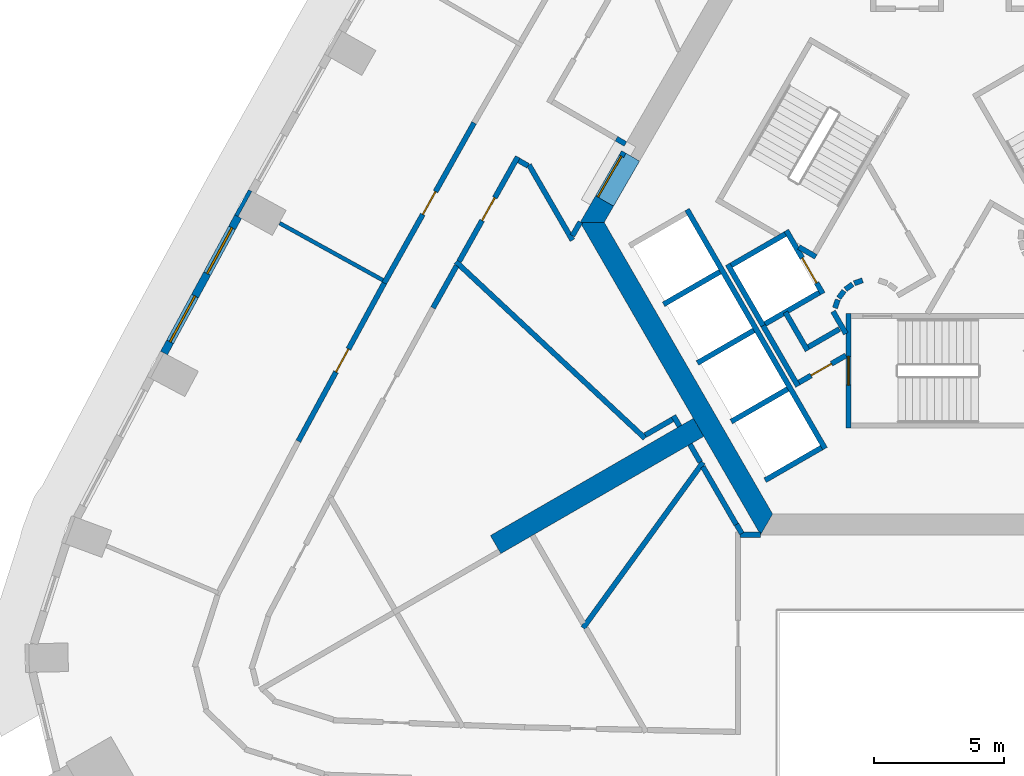
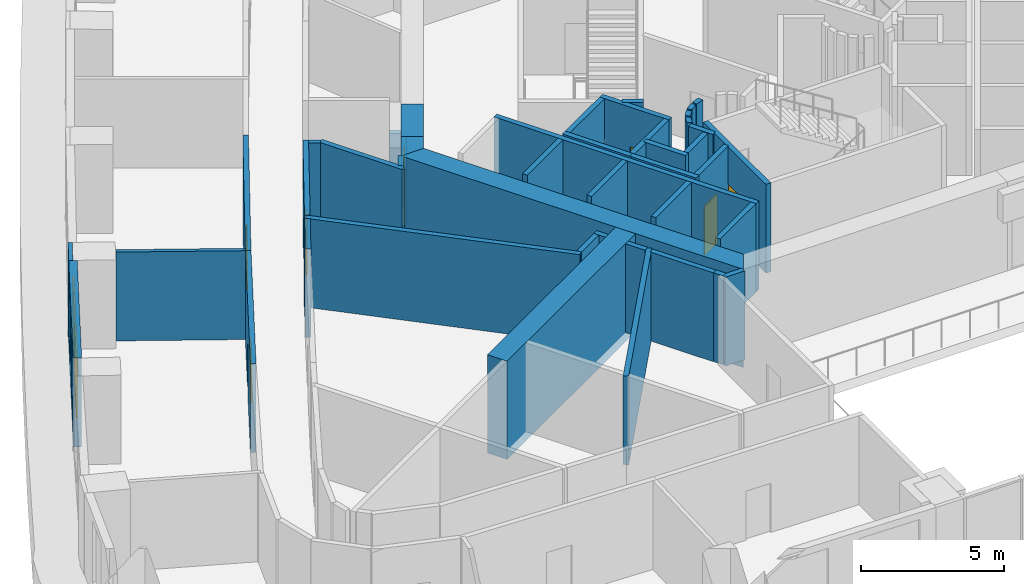
# One storey, part 5 of 17: 44 walls, 7 doors, 2 windows, 9 openings.
"""IFC4 building model written with IfcOpenShell, lengths in metres."""

from ifc_helpers import new_model, si_unit, direction, frame, frame_2d, origin, place, context, subcontext, project, spatial, polyline, rectangle, outline, extrude, material, layer, layer_set, type_object, element, fill, save


model = new_model("IFC4")

# Units and contexts
model_context = context("Model", 3, precision=1e-05, world=origin(), true_north=direction((0.0, 1.0)))
body_context = subcontext(model_context, "Body", "Model", "MODEL_VIEW")
ifc_project = project(units=[si_unit("LENGTHUNIT", "METRE"), si_unit("AREAUNIT", "SQUARE_METRE"), si_unit("VOLUMEUNIT", "CUBIC_METRE"), si_unit("PLANEANGLEUNIT", "RADIAN"), si_unit("MASSUNIT", "GRAM", prefix="KILO")], contexts=[model_context])

# Site, building, storey
site_placement = place(None, origin())
site = spatial("IfcSite", under=ifc_project, at=site_placement, CompositionType="ELEMENT")
building_placement = place(site_placement, origin())
building = spatial("IfcBuilding", under=site, at=building_placement, Name="Entoto Arch Interchange Tower", CompositionType="ELEMENT")
storey_placement = place(building_placement, frame((0.0, 0.0, 167.60009765625)))
storey = spatial("IfcBuildingStorey", under=building, at=storey_placement, Name="L37", CompositionType="ELEMENT", Elevation=167.60009765625)

# Wall
ifc_material_1 = material(Name="Concrete C50/60", Category="concrete")
ifc_layer_1 = layer(ifc_material_1, 0.800048828125)
ifc_layer_set_1 = layer_set([ifc_layer_1], Name="Concrete C50/60")
wall_type_1 = type_object("IfcWallType", Name="Buttress wall 800 C50/60", PredefinedType="SHEAR", material=ifc_layer_set_1)
wall_1_placement = place(storey_placement, frame((-9.31005859375, -5.375, -0.400146484375), z_axis=(0.0, 0.0, 1.0), x_axis=(-0.866017533419, -0.500013631625, 0.0)))
element("IfcWall", 1, at=wall_1_placement, inside=storey, type_object=wall_type_1, Name="Buttress wall SW L37", PredefinedType="SHEAR", context=body_context, shape_type="SweptSolid", body=[
    extrude(rectangle(XDim=8.999755859375, YDim=0.800048828125, at=frame_2d((4.5, 0.0))), origin(), (0.0, 0.0, 1.0), 4.199951171875),
])

# Wall, opening, door
ifc_material_2 = material(Name="Reinforced concrete C40/50", Category="concrete")
ifc_layer_2 = layer(ifc_material_2, 0.199951171875)
ifc_layer_set_2 = layer_set([ifc_layer_2], Name="Reinforced concrete C40/50")
wall_type_2 = type_object("IfcWallType", Name="CORE GAP INFILL WALL", PredefinedType="PARTITIONING", material=ifc_layer_set_2)
wall_2_placement = place(storey_placement, frame((-12.179931640625, 5.201904296875, 0.0), z_axis=(0.0, 0.0, 1.0), x_axis=(-0.50002537861, -0.866010750942, 0.0)))
wall_2 = element("IfcWall", 2, at=wall_2_placement, inside=storey, type_object=wall_type_2, Name="wall:L37:gap3", PredefinedType="PARTITIONING", context=body_context, shape_type="SweptSolid", body=[
    extrude(rectangle(XDim=2.0, YDim=0.199951171875, at=frame_2d((1.0, 0.0))), origin(), (0.0, 0.0, 1.0), 2.39990234375),
])
opening_1_placement = place(wall_2_placement, frame((0.18994140625, 0.0, 0.0)))
opening_1 = element("IfcOpeningElement", 3, at=opening_1_placement, cuts=wall_2, Name="Opening L37-D93", PredefinedType="OPENING", context=body_context, shape_type="SweptSolid", body=[
    extrude(rectangle(XDim=1.800048828125, YDim=2.10009765625, at=frame_2d((0.89990234375, 1.050048828125))), frame((0.0, 0.10986328125, 0.0), z_axis=(0.0, -1.0, 0.0), x_axis=(1.0, 0.0, 0.0)), (0.0, 0.0, 1.0), 0.219970703125),
])
ifc_material_3 = material(Name="Fire-rated Steel S235 door and frame", Category="steel")
door_type_1 = type_object("IfcDoorType", Name="DOOR FD-18 1800x2100", OperationType="DOUBLE_DOOR_SINGLE_SWING", PredefinedType="DOOR", material=ifc_material_3)
door_1_placement = place(opening_1_placement, origin())
door_1 = element("IfcDoor", 4, at=door_1_placement, inside=storey, type_object=door_type_1, Name="door:L37:gap3", OperationType="DOUBLE_DOOR_SINGLE_SWING", OverallHeight=2.10009765625, OverallWidth=1.800048828125, PredefinedType="DOOR", context=body_context, shape_type="SweptSolid", body=[
    extrude(rectangle(XDim=1.800048828125, YDim=2.10009765625, at=frame_2d((0.89990234375, 1.050048828125))), frame((0.0, 0.02490234375, 0.0), z_axis=(0.0, -1.0, 0.0), x_axis=(1.0, 0.0, 0.0)), (0.0, 0.0, 1.0), 0.050048828125),
])
fill(opening_1, door_1)

# Walls
ifc_layer_3 = layer(ifc_material_1, 0.800048828125)
ifc_layer_set_3 = layer_set([ifc_layer_3], Name="Concrete C50/60")
wall_type_3 = type_object("IfcWallType", Name="Core wall 800 C50/60", PredefinedType="SHEAR", material=ifc_layer_set_3)
wall_3_placement = place(storey_placement, frame((0.0, 0.0, -0.400146484375)))
element("IfcWall", 5, at=wall_3_placement, inside=storey, type_object=wall_type_3, Name="Core wall NW L37", PredefinedType="SHEAR", context=body_context, shape_type="SweptSolid", body=[
    extrude(outline(polyline([(-12.574951171875, 3.1201171875), (-13.26708984375, 3.52001953125), (-13.85595703125, 2.5), (-12.93310546875, 2.5), (-12.574951171875, 3.1201171875)])), origin(), (0.0, 0.0, 1.0), 4.199951171875),
])
wall_4_placement = place(storey_placement, frame((0.0, 0.0, 3.599853515625)))
element("IfcWall", 6, at=wall_4_placement, inside=storey, type_object=wall_type_3, Name="Core wall lintel NW L37", PredefinedType="SHEAR", context=body_context, shape_type="SweptSolid", body=[
    extrude(outline(polyline([(-13.26708984375, 3.52001953125), (-12.574951171875, 3.1201171875), (-11.574951171875, 4.85205078125), (-12.26708984375, 5.251953125), (-13.26708984375, 3.52001953125)])), origin(), (0.0, 0.0, 1.0), 0.199951171875),
])
wall_5_placement = place(storey_placement, frame((0.0, 0.0, -0.400146484375)))
element("IfcWall", 7, at=wall_5_placement, inside=storey, type_object=wall_type_3, Name="Core wall SW L37", PredefinedType="SHEAR", context=body_context, shape_type="SweptSolid", body=[
    extrude(outline(polyline([(-13.85595703125, 2.5), (-6.927978515625, -9.5), (-6.466064453125, -8.699951171875), (-12.93310546875, 2.5), (-13.85595703125, 2.5)])), origin(), (0.0, 0.0, 1.0), 4.199951171875),
])

# Wall, opening, door
ifc_material_4 = material(Name="Concrete C40/50", Category="concrete")
ifc_layer_4 = layer(ifc_material_4, 0.199951171875)
ifc_layer_set_4 = layer_set([ifc_layer_4], Name="Concrete C40/50")
wall_type_4 = type_object("IfcWallType", Name="LIFT SHAFT WALL 200", PredefinedType="STANDARD", material=ifc_layer_set_4)
wall_6_placement = place(storey_placement, frame((-5.93994140625, 2.18798828125, 0.0), z_axis=(0.0, 0.0, 1.0), x_axis=(0.49994636267, -0.866056369097, 0.0)))
wall_6 = element("IfcWall", 8, at=wall_6_placement, inside=storey, type_object=wall_type_4, Name="Shaft wall SW1 front", PredefinedType="STANDARD", context=body_context, shape_type="SweptSolid", body=[
    extrude(rectangle(XDim=2.800048828125, YDim=0.199951171875, at=frame_2d((1.39990234375, 0.0))), origin(), (0.0, 0.0, 1.0), 3.7998046875),
])
opening_2_placement = place(wall_6_placement, frame((1.22509765625, 0.0, 0.0)))
opening_2 = element("IfcOpeningElement", 9, at=opening_2_placement, cuts=wall_6, Name="Opening LD-FF2-L37", PredefinedType="OPENING", context=body_context, shape_type="SweptSolid", body=[
    extrude(rectangle(XDim=1.10009765625, YDim=2.10009765625, at=frame_2d((0.550048828125, 1.050048828125))), frame((0.0, 0.10986328125, 0.0), z_axis=(0.0, -1.0, 0.0), x_axis=(1.0, 0.0, 0.0)), (0.0, 0.0, 1.0), 0.219970703125),
])
ifc_material_5 = material(Name="Stainless steel 1.4301 panels", Category="steel")
door_type_2 = type_object("IfcDoorType", Name="LIFT LANDING DOOR LD1 1100x2100", OperationType="SLIDING_TO_LEFT", PredefinedType="DOOR", material=ifc_material_5)
door_2_placement = place(opening_2_placement, origin())
door_2 = element("IfcDoor", 10, at=door_2_placement, inside=storey, type_object=door_type_2, Name="Lift landing door FF2 L37", OperationType="SLIDING_TO_LEFT", OverallHeight=2.10009765625, OverallWidth=1.10009765625, PredefinedType="DOOR", context=body_context, shape_type="SweptSolid", body=[
    extrude(rectangle(XDim=1.10009765625, YDim=2.10009765625, at=frame_2d((0.550048828125, 1.050048828125))), frame((0.0, 0.02490234375, 0.0), z_axis=(0.0, -1.0, 0.0), x_axis=(1.0, 0.0, 0.0)), (0.0, 0.0, 1.0), 0.050048828125),
])
fill(opening_2, door_2)

# Walls
wall_7_placement = place(storey_placement, frame((-8.19189453125, 0.887939453125, 0.0), z_axis=(0.0, 0.0, 1.0), x_axis=(0.49994636267, -0.866056369097, 0.0)))
element("IfcWall", 11, at=wall_7_placement, inside=storey, type_object=wall_type_4, Name="Shaft wall SW1 back", PredefinedType="STANDARD", context=body_context, shape_type="SweptSolid", body=[
    extrude(rectangle(XDim=2.800048828125, YDim=0.199951171875, at=frame_2d((1.39990234375, 0.0))), origin(), (0.0, 0.0, 1.0), 3.7998046875),
])
for number, where, z_axis, x_axis, name in (
    (12, (-5.97705078125, 2.052001953125, 0.0), (0.0, 0.0, 1.0), (-0.865973769406, -0.500089422704, 0.0), "Shaft wall SW1 cross 1"),
    (13, (-4.677001953125, -0.199951171875, 0.0), (0.0, 0.0, 1.0), (-0.865973769406, -0.500089422704, 0.0), "Shaft wall SW1 cross 2"),
):
    element("IfcWall", number, at=place(storey_placement, frame(where, z_axis=z_axis, x_axis=x_axis)), inside=storey, type_object=wall_type_4, Name=name, PredefinedType="STANDARD", context=body_context, shape_type="SweptSolid", body=[
        extrude(rectangle(XDim=2.3994140625, YDim=0.199951171875, at=frame_2d((1.19970703125, 0.0))), origin(), (0.0, 0.0, 1.0), 3.7998046875),
    ])
wall_8_placement = place(storey_placement, frame((-9.7509765625, 2.989990234375, 0.0), z_axis=(0.0, 0.0, 1.0), x_axis=(0.50000090737, -0.866024879913, 0.0)))
element("IfcWall", 14, at=wall_8_placement, inside=storey, type_object=wall_type_4, Name="Shaft wall SW3 front", PredefinedType="STANDARD", context=body_context, shape_type="SweptSolid", body=[
    extrude(rectangle(XDim=10.60009765625, YDim=0.199951171875, at=frame_2d((5.300048828125, 0.0))), origin(), (0.0, 0.0, 1.0), 3.7998046875),
])
for number, where, z_axis, x_axis, name in (
    (15, (-8.488037109375, 0.60205078125, 0.0), (0.0, 0.0, 1.0), (-0.866022959057, -0.500004234368, 0.0), "Shaft wall SW3 cross 2"),
    (16, (-7.18798828125, -1.64990234375, 0.0), (0.0, 0.0, 1.0), (-0.866022959057, -0.500004234368, 0.0), "Shaft wall SW3 cross 3"),
    (17, (-5.887939453125, -3.902099609375, 0.0), (0.0, 0.0, 1.0), (-0.866022959057, -0.500004234368, 0.0), "Shaft wall SW3 cross 4"),
    (18, (-4.587890625, -6.153076171875, 0.0), (0.0, 0.0, 1.0), (-0.866022959057, -0.500004234368, 0.0), "Shaft wall SW3 cross 5"),
):
    element("IfcWall", number, at=place(storey_placement, frame(where, z_axis=z_axis, x_axis=x_axis)), inside=storey, type_object=wall_type_4, Name=name, PredefinedType="STANDARD", context=body_context, shape_type="SweptSolid", body=[
        extrude(rectangle(XDim=2.5, YDim=0.199951171875, at=frame_2d((1.25, 0.0))), origin(), (0.0, 0.0, 1.0), 3.7998046875),
    ])
ifc_material_6 = material(Name="Gypsum board partition on steel studs", Category="steel")
ifc_layer_5 = layer(ifc_material_6, 0.14990234375)
ifc_layer_set_5 = layer_set([ifc_layer_5], Name="Gypsum board partition on steel studs")
wall_type_5 = type_object("IfcWallType", Name="PARTITION 150", PredefinedType="PARTITIONING", material=ifc_layer_set_5)
wall_9_placement = place(storey_placement, frame((-21.431884765625, 0.278076171875, 0.0), z_axis=(0.0, 0.0, 1.0), x_axis=(-0.875412579047, 0.483376474857, 0.0)))
element("IfcWall", 19, at=wall_9_placement, inside=storey, type_object=wall_type_5, Name="wall:L37:p143", PredefinedType="PARTITIONING", context=body_context, shape_type="SweptSolid", body=[
    extrude(rectangle(XDim=4.530517578125, YDim=0.14990234375, at=frame_2d((2.26513671875, 0.0))), origin(), (0.0, 0.0, 1.0), 3.7998046875),
])
ifc_layer_6 = layer(ifc_material_6, 0.199951171875)
ifc_layer_set_6 = layer_set([ifc_layer_6], Name="Gypsum board partition on steel studs")
wall_type_6 = type_object("IfcWallType", Name="PARTITION 200", PredefinedType="PARTITIONING", material=ifc_layer_set_6)
wall_10_placement = place(storey_placement, frame((-13.85009765625, 2.513916015625, 0.0), z_axis=(0.0, 0.0, 1.0), x_axis=(-0.500418219013, -0.865783810244, 0.0)))
element("IfcWall", 20, at=wall_10_placement, inside=storey, type_object=wall_type_6, Name="wall:L37:p027", PredefinedType="PARTITIONING", context=body_context, shape_type="SweptSolid", body=[
    extrude(rectangle(XDim=0.607421875, YDim=0.199951171875, at=frame_2d((0.3037109375, 0.0))), origin(), (0.0, 0.0, 1.0), 3.7998046875),
])
wall_11_placement = place(storey_placement, frame((-14.154052734375, 1.81494140625, 0.0), z_axis=(0.0, 0.0, 1.0), x_axis=(-0.500038857296, 0.866002968352, 0.0)))
element("IfcWall", 21, at=wall_11_placement, inside=storey, type_object=wall_type_6, Name="wall:L37:p028", PredefinedType="PARTITIONING", context=body_context, shape_type="SweptSolid", body=[
    extrude(rectangle(XDim=3.339599609375, YDim=0.199951171875, at=frame_2d((1.669921875, 0.0))), origin(), (0.0, 0.0, 1.0), 3.7998046875),
])
wall_12_placement = place(storey_placement, frame((-15.860107421875, 4.6708984375, 0.0), z_axis=(0.0, 0.0, 1.0), x_axis=(-0.866047486323, 0.49996174997, 0.0)))
element("IfcWall", 22, at=wall_12_placement, inside=storey, type_object=wall_type_6, Name="wall:L37:p029", PredefinedType="PARTITIONING", context=body_context, shape_type="SweptSolid", body=[
    extrude(rectangle(XDim=0.412109375, YDim=0.199951171875, at=frame_2d((0.2060546875, 0.0))), origin(), (0.0, 0.0, 1.0), 3.7998046875),
])

# Wall, opening, door
wall_13_placement = place(storey_placement, frame((-16.2548828125, 5.013916015625, 0.0), z_axis=(0.0, 0.0, 1.0), x_axis=(-0.488988017817, -0.87229050117, 0.0)))
wall_13 = element("IfcWall", 23, at=wall_13_placement, inside=storey, type_object=wall_type_6, Name="wall:L37:p030", PredefinedType="PARTITIONING", context=body_context, shape_type="SweptSolid", body=[
    extrude(rectangle(XDim=4.599365234375, YDim=0.199951171875, at=frame_2d((2.2998046875, 0.0))), origin(), (0.0, 0.0, 1.0), 3.7998046875),
])
opening_3_placement = place(wall_13_placement, frame((1.800048828125, 0.0, 0.0)))
opening_3 = element("IfcOpeningElement", 24, at=opening_3_placement, cuts=wall_13, Name="Opening L37-D17", PredefinedType="OPENING", context=body_context, shape_type="SweptSolid", body=[
    extrude(rectangle(XDim=1.0, YDim=2.10009765625, at=frame_2d((0.5, 1.050048828125))), frame((0.0, 0.10986328125, 0.0), z_axis=(0.0, -1.0, 0.0), x_axis=(1.0, 0.0, 0.0)), (0.0, 0.0, 1.0), 0.219970703125),
])
ifc_material_7 = material(Name="Timber door leaf in Steel S235 frame", Category="steel")
door_type_3 = type_object("IfcDoorType", Name="DOOR DS-10 1000x2100", OperationType="SINGLE_SWING_LEFT", PredefinedType="DOOR", material=ifc_material_7)
door_3_placement = place(opening_3_placement, origin())
door_3 = element("IfcDoor", 25, at=door_3_placement, inside=storey, type_object=door_type_3, Name="door:L37:17", OperationType="SINGLE_SWING_LEFT", OverallHeight=2.10009765625, OverallWidth=1.0, PredefinedType="DOOR", context=body_context, shape_type="SweptSolid", body=[
    extrude(rectangle(XDim=1.0, YDim=2.10009765625, at=frame_2d((0.5, 1.050048828125))), frame((0.0, 0.02490234375, 0.0), z_axis=(0.0, -1.0, 0.0), x_axis=(1.0, 0.0, 0.0)), (0.0, 0.0, 1.0), 0.050048828125),
])
fill(opening_3, door_3)

# Wall
wall_14_placement = place(storey_placement, frame((-18.60205078125, 0.827880859375, 0.0), z_axis=(0.0, 0.0, 1.0), x_axis=(-0.488969229043, -0.872301033502, 0.0)))
element("IfcWall", 26, at=wall_14_placement, inside=storey, type_object=wall_type_6, Name="wall:L37:p032", PredefinedType="PARTITIONING", context=body_context, shape_type="SweptSolid", body=[
    extrude(rectangle(XDim=1.848876953125, YDim=0.199951171875, at=frame_2d((0.92431640625, 0.0))), origin(), (0.0, 0.0, 1.0), 3.7998046875),
])

# Wall, opening, door
wall_15_placement = place(storey_placement, frame((-21.381103515625, 0.1650390625, 0.0), z_axis=(0.0, 0.0, 1.0), x_axis=(0.489014139272, 0.872275857509, 0.0)))
wall_15 = element("IfcWall", 27, at=wall_15_placement, inside=storey, type_object=wall_type_6, Name="wall:L37:p068", PredefinedType="PARTITIONING", context=body_context, shape_type="SweptSolid", body=[
    extrude(rectangle(XDim=7.057373046875, YDim=0.199951171875, at=frame_2d((3.52880859375, 0.0))), origin(), (0.0, 0.0, 1.0), 3.7998046875),
])
opening_4_placement = place(wall_15_placement, frame((3.029052734375, 0.0, 0.0)))
opening_4 = element("IfcOpeningElement", 28, at=opening_4_placement, cuts=wall_15, Name="Opening L37-D10", PredefinedType="OPENING", context=body_context, shape_type="SweptSolid", body=[
    extrude(rectangle(XDim=1.0, YDim=2.10009765625, at=frame_2d((0.5, 1.050048828125))), frame((0.0, 0.10986328125, 0.0), z_axis=(0.0, -1.0, 0.0), x_axis=(1.0, 0.0, 0.0)), (0.0, 0.0, 1.0), 0.219970703125),
])
door_4_placement = place(opening_4_placement, origin())
door_4 = element("IfcDoor", 29, at=door_4_placement, inside=storey, type_object=door_type_3, Name="door:L37:10", OperationType="SINGLE_SWING_RIGHT", OverallHeight=2.10009765625, OverallWidth=1.0, PredefinedType="DOOR", context=body_context, shape_type="SweptSolid", body=[
    extrude(rectangle(XDim=1.0, YDim=2.10009765625, at=frame_2d((0.5, 1.050048828125))), frame((0.0, 0.02490234375, 0.0), z_axis=(0.0, -1.0, 0.0), x_axis=(1.0, 0.0, 0.0)), (0.0, 0.0, 1.0), 0.050048828125),
])
fill(opening_4, door_4)

wall_16_placement = place(storey_placement, frame((-24.679931640625, -5.906005859375, 0.0), z_axis=(0.0, 0.0, 1.0), x_axis=(0.47757676389, 0.878590026459, 0.0)))
wall_16 = element("IfcWall", 30, at=wall_16_placement, inside=storey, type_object=wall_type_6, Name="wall:L37:p071", PredefinedType="PARTITIONING", context=body_context, shape_type="SweptSolid", body=[
    extrude(rectangle(XDim=6.909912109375, YDim=0.199951171875, at=frame_2d((3.455078125, 0.0))), origin(), (0.0, 0.0, 1.0), 3.7998046875),
])
opening_5_placement = place(wall_16_placement, frame((3.029052734375, 0.0, 0.0)))
opening_5 = element("IfcOpeningElement", 31, at=opening_5_placement, cuts=wall_16, Name="Opening L37-D11", PredefinedType="OPENING", context=body_context, shape_type="SweptSolid", body=[
    extrude(rectangle(XDim=1.0, YDim=2.10009765625, at=frame_2d((0.5, 1.050048828125))), frame((0.0, 0.10986328125, 0.0), z_axis=(0.0, -1.0, 0.0), x_axis=(1.0, 0.0, 0.0)), (0.0, 0.0, 1.0), 0.219970703125),
])
door_5_placement = place(opening_5_placement, origin())
door_5 = element("IfcDoor", 32, at=door_5_placement, inside=storey, type_object=door_type_3, Name="door:L37:11", OperationType="SINGLE_SWING_LEFT", OverallHeight=2.10009765625, OverallWidth=1.0, PredefinedType="DOOR", context=body_context, shape_type="SweptSolid", body=[
    extrude(rectangle(XDim=1.0, YDim=2.10009765625, at=frame_2d((0.5, 1.050048828125))), frame((0.0, 0.02490234375, 0.0), z_axis=(0.0, -1.0, 0.0), x_axis=(1.0, 0.0, 0.0)), (0.0, 0.0, 1.0), 0.050048828125),
])
fill(opening_5, door_5)

# Walls
wall_17_placement = place(storey_placement, frame((-3.89990234375, -1.59912109375, 0.0), z_axis=(0.0, 0.0, 1.0), x_axis=(-0.865969445389, -0.500096910261, 0.0)))
element("IfcWall", 33, at=wall_17_placement, inside=storey, type_object=wall_type_6, Name="wall:L37:p092", PredefinedType="PARTITIONING", context=body_context, shape_type="SweptSolid", body=[
    extrude(rectangle(XDim=1.373291015625, YDim=0.199951171875, at=frame_2d((0.6865234375, 0.0))), origin(), (0.0, 0.0, 1.0), 3.7998046875),
])
wall_18_placement = place(storey_placement, frame((-5.1259765625, -2.422119140625, 0.0), z_axis=(0.0, 0.0, 1.0), x_axis=(-0.500062241894, 0.865989465428, 0.0)))
element("IfcWall", 34, at=wall_18_placement, inside=storey, type_object=wall_type_6, Name="wall:L37:p093", PredefinedType="PARTITIONING", context=body_context, shape_type="SweptSolid", body=[
    extrude(rectangle(XDim=1.699951171875, YDim=0.199951171875, at=frame_2d((0.85009765625, 0.0))), origin(), (0.0, 0.0, 1.0), 3.7998046875),
])

# Wall, opening, door
wall_19_placement = place(storey_placement, frame((-3.64990234375, -2.610107421875, 0.0), z_axis=(0.0, 0.0, 1.0), x_axis=(-0.866072462134, -0.499918483688, 0.0)))
wall_19 = element("IfcWall", 35, at=wall_19_placement, inside=storey, type_object=wall_type_6, Name="wall:L37:p094", PredefinedType="PARTITIONING", context=body_context, shape_type="SweptSolid", body=[
    extrude(rectangle(XDim=2.084228515625, YDim=0.199951171875, at=frame_2d((1.0419921875, 0.0))), origin(), (0.0, 0.0, 1.0), 3.7998046875),
])
opening_6_placement = place(wall_19_placement, frame((0.64208984375, 0.0, 0.0)))
opening_6 = element("IfcOpeningElement", 36, at=opening_6_placement, cuts=wall_19, Name="Opening L37-D30", PredefinedType="OPENING", context=body_context, shape_type="SweptSolid", body=[
    extrude(rectangle(XDim=0.89990234375, YDim=2.10009765625, at=frame_2d((0.449951171875, 1.050048828125))), frame((0.0, 0.10986328125, 0.0), z_axis=(0.0, -1.0, 0.0), x_axis=(1.0, 0.0, 0.0)), (0.0, 0.0, 1.0), 0.219970703125),
])
door_type_4 = type_object("IfcDoorType", Name="DOOR DS-09 900x2100", OperationType="SINGLE_SWING_LEFT", PredefinedType="DOOR", material=ifc_material_7)
door_6_placement = place(opening_6_placement, origin())
door_6 = element("IfcDoor", 37, at=door_6_placement, inside=storey, type_object=door_type_4, Name="door:L37:30", OperationType="SINGLE_SWING_LEFT", OverallHeight=2.10009765625, OverallWidth=0.89990234375, PredefinedType="DOOR", context=body_context, shape_type="SweptSolid", body=[
    extrude(rectangle(XDim=0.89990234375, YDim=2.10009765625, at=frame_2d((0.449951171875, 1.050048828125))), frame((0.0, 0.02490234375, 0.0), z_axis=(0.0, -1.0, 0.0), x_axis=(1.0, 0.0, 0.0)), (0.0, 0.0, 1.0), 0.050048828125),
])
fill(opening_6, door_6)

# Walls
wall_20_placement = place(storey_placement, frame((-5.491943359375, -3.7880859375, 0.0), z_axis=(0.0, 0.0, 1.0), x_axis=(-0.500008949224, 0.866020236886, 0.0)))
element("IfcWall", 38, at=wall_20_placement, inside=storey, type_object=wall_type_6, Name="wall:L37:p095", PredefinedType="PARTITIONING", context=body_context, shape_type="SweptSolid", body=[
    extrude(rectangle(XDim=2.68017578125, YDim=0.199951171875, at=frame_2d((1.340087890625, 0.0))), origin(), (0.0, 0.0, 1.0), 3.7998046875),
])
wall_21_placement = place(storey_placement, frame((-4.14501953125, -0.919921875, 0.0), z_axis=(0.0, 0.0, 1.0), x_axis=(0.499743786207, -0.866173278362, 0.0)))
element("IfcWall", 39, at=wall_21_placement, inside=storey, type_object=wall_type_6, Name="wall:L37:p096", PredefinedType="PARTITIONING", context=body_context, shape_type="SweptSolid", body=[
    extrude(rectangle(XDim=0.99072265625, YDim=0.199951171875, at=frame_2d((0.495361328125, 0.0))), origin(), (0.0, 0.0, 1.0), 3.7998046875),
])
wall_22_placement = place(storey_placement, frame((-3.011962890625, 0.27294921875, 0.0), z_axis=(0.0, 0.0, 1.0), x_axis=(-0.942280615813, -0.334824194261, 0.0)))
element("IfcWall", 40, at=wall_22_placement, inside=storey, type_object=wall_type_6, Name="wall:L37:p112", PredefinedType="PARTITIONING", context=body_context, shape_type="SweptSolid", body=[
    extrude(rectangle(XDim=0.337646484375, YDim=0.199951171875, at=frame_2d((0.1689453125, 0.0))), origin(), (0.0, 0.0, 1.0), 3.7998046875),
])
wall_23_placement = place(storey_placement, frame((-3.39697265625, 0.1240234375, 0.0), z_axis=(0.0, 0.0, 1.0), x_axis=(-0.804311165252, -0.594208338422, 0.0)))
element("IfcWall", 41, at=wall_23_placement, inside=storey, type_object=wall_type_6, Name="wall:L37:p113", PredefinedType="PARTITIONING", context=body_context, shape_type="SweptSolid", body=[
    extrude(rectangle(XDim=0.338134765625, YDim=0.199951171875, at=frame_2d((0.1689453125, 0.0))), origin(), (0.0, 0.0, 1.0), 3.7998046875),
])
wall_24_placement = place(storey_placement, frame((-3.722900390625, -0.131103515625, 0.0), z_axis=(0.0, 0.0, 1.0), x_axis=(-0.594675113454, -0.803966112121, 0.0)))
element("IfcWall", 42, at=wall_24_placement, inside=storey, type_object=wall_type_6, Name="wall:L37:p114", PredefinedType="PARTITIONING", context=body_context, shape_type="SweptSolid", body=[
    extrude(rectangle(XDim=0.33837890625, YDim=0.199951171875, at=frame_2d((0.169189453125, 0.0))), origin(), (0.0, 0.0, 1.0), 3.7998046875),
])
wall_25_placement = place(storey_placement, frame((-3.9599609375, -0.469970703125, 0.0), z_axis=(0.0, 0.0, 1.0), x_axis=(-0.334824194261, -0.942280615813, 0.0)))
element("IfcWall", 43, at=wall_25_placement, inside=storey, type_object=wall_type_6, Name="wall:L37:p115", PredefinedType="PARTITIONING", context=body_context, shape_type="SweptSolid", body=[
    extrude(rectangle(XDim=0.337646484375, YDim=0.199951171875, at=frame_2d((0.1689453125, 0.0))), origin(), (0.0, 0.0, 1.0), 3.7998046875),
])
wall_26_placement = place(storey_placement, frame((-7.721923828125, -9.4990234375, 0.0), z_axis=(0.0, 0.0, 1.0), x_axis=(1.0, 0.0, 0.0)))
element("IfcWall", 44, at=wall_26_placement, inside=storey, type_object=wall_type_6, Name="wall:L37:p117", PredefinedType="PARTITIONING", context=body_context, shape_type="SweptSolid", body=[
    extrude(rectangle(XDim=0.79296875, YDim=0.199951171875, at=frame_2d((0.396484375, 0.0))), origin(), (0.0, 0.0, 1.0), 3.7998046875),
])
wall_27_placement = place(storey_placement, frame((-7.862060546875, -9.10693359375, 0.0), z_axis=(0.0, 0.0, 1.0), x_axis=(-0.499994038704, 0.866028845513, 0.0)))
element("IfcWall", 45, at=wall_27_placement, inside=storey, type_object=wall_type_6, Name="wall:L37:p122", PredefinedType="PARTITIONING", context=body_context, shape_type="SweptSolid", body=[
    extrude(rectangle(XDim=2.56787109375, YDim=0.199951171875, at=frame_2d((1.283935546875, 0.0))), origin(), (0.0, 0.0, 1.0), 3.7998046875),
])
wall_28_placement = place(storey_placement, frame((-7.64990234375, -9.450927734375, 0.0), z_axis=(0.0, 0.0, 1.0), x_axis=(-0.500297731093, 0.865853440406, 0.0)))
element("IfcWall", 46, at=wall_28_placement, inside=storey, type_object=wall_type_6, Name="wall:L37:p123", PredefinedType="PARTITIONING", context=body_context, shape_type="SweptSolid", body=[
    extrude(rectangle(XDim=0.404052734375, YDim=0.199951171875, at=frame_2d((0.2021484375, 0.0))), origin(), (0.0, 0.0, 1.0), 3.7998046875),
])
wall_29_placement = place(storey_placement, frame((-9.24609375, -6.7099609375, 0.0), z_axis=(0.0, 0.0, 1.0), x_axis=(-0.499570510076, 0.86627322795, 0.0)))
element("IfcWall", 47, at=wall_29_placement, inside=storey, type_object=wall_type_6, Name="wall:L37:p124", PredefinedType="PARTITIONING", context=body_context, shape_type="SweptSolid", body=[
    extrude(rectangle(XDim=0.788330078125, YDim=0.199951171875, at=frame_2d((0.39404296875, 0.0))), origin(), (0.0, 0.0, 1.0), 3.7998046875),
])
wall_30_placement = place(storey_placement, frame((-10.31005859375, -5.06591796875, 0.0), z_axis=(0.0, 0.0, 1.0), x_axis=(-0.865587329375, -0.500758000661, 0.0)))
element("IfcWall", 48, at=wall_30_placement, inside=storey, type_object=wall_type_6, Name="wall:L37:p125", PredefinedType="PARTITIONING", context=body_context, shape_type="SweptSolid", body=[
    extrude(rectangle(XDim=1.21044921875, YDim=0.199951171875, at=frame_2d((0.605224609375, 0.0))), origin(), (0.0, 0.0, 1.0), 3.7998046875),
])
wall_31_placement = place(storey_placement, frame((-11.3720703125, -5.7900390625, 0.0), z_axis=(0.0, 0.0, 1.0), x_axis=(-0.730922728623, 0.682460229451, 0.0)))
element("IfcWall", 49, at=wall_31_placement, inside=storey, type_object=wall_type_6, Name="wall:L37:p126", PredefinedType="PARTITIONING", context=body_context, shape_type="SweptSolid", body=[
    extrude(rectangle(XDim=9.92431640625, YDim=0.199951171875, at=frame_2d((4.962158203125, 0.0))), origin(), (0.0, 0.0, 1.0), 3.7998046875),
])
wall_32_placement = place(storey_placement, frame((-13.743896484375, -13.075927734375, 0.0), z_axis=(0.0, 0.0, 1.0), x_axis=(0.586577314901, 0.809893235953, 0.0)))
element("IfcWall", 50, at=wall_32_placement, inside=storey, type_object=wall_type_6, Name="wall:L37:p127", PredefinedType="PARTITIONING", context=body_context, shape_type="SweptSolid", body=[
    extrude(rectangle(XDim=7.85400390625, YDim=0.199951171875, at=frame_2d((3.927001953125, 0.0))), origin(), (0.0, 0.0, 1.0), 3.7998046875),
])
wall_33_placement = place(storey_placement, frame((-10.0400390625, -5.333984375, 0.0), z_axis=(0.0, 0.0, 1.0), x_axis=(-0.499405191234, 0.86636854454, 0.0)))
element("IfcWall", 51, at=wall_33_placement, inside=storey, type_object=wall_type_6, Name="wall:L37:p124", PredefinedType="PARTITIONING", context=body_context, shape_type="SweptSolid", body=[
    extrude(rectangle(XDim=0.46630859375, YDim=0.199951171875, at=frame_2d((0.233154296875, 0.0))), origin(), (0.0, 0.0, 1.0), 3.7998046875),
])
wall_34_placement = place(storey_placement, frame((-12.462890625, 5.7119140625, 0.0), z_axis=(0.0, 0.0, 1.0), x_axis=(0.865788603161, -0.500409926597, 0.0)))
element("IfcWall", 52, at=wall_34_placement, inside=storey, type_object=wall_type_6, Name="wall:L37:p004", PredefinedType="PARTITIONING", context=body_context, shape_type="SweptSolid", body=[
    extrude(rectangle(XDim=0.399658203125, YDim=0.199951171875, at=frame_2d((0.19970703125, 0.0))), origin(), (0.0, 0.0, 1.0), 2.39990234375),
])

# Wall, opening, door
ifc_layer_7 = layer(ifc_material_4, 0.199951171875)
ifc_layer_set_7 = layer_set([ifc_layer_7], Name="Concrete C40/50")
wall_type_7 = type_object("IfcWallType", Name="STAIR ENCLOSURE WALL 200", PredefinedType="STANDARD", material=ifc_layer_set_7)
wall_35_placement = place(storey_placement, frame((-3.550048828125, -1.0, 0.0), z_axis=(0.0, 0.0, 1.0), x_axis=(0.0, -1.0, 0.0)))
wall_35 = element("IfcWall", 53, at=wall_35_placement, inside=storey, type_object=wall_type_7, Name="Stair wall ST-S near", PredefinedType="STANDARD", context=body_context, shape_type="SweptSolid", body=[
    extrude(rectangle(XDim=4.39990234375, YDim=0.199951171875, at=frame_2d((2.199951171875, 0.0))), origin(), (0.0, 0.0, 1.0), 3.7998046875),
])
opening_7_placement = place(wall_35_placement, frame((1.64990234375, 0.0, 0.0)))
opening_7 = element("IfcOpeningElement", 54, at=opening_7_placement, cuts=wall_35, Name="Opening SD-ST-S-L37-E", PredefinedType="OPENING", context=body_context, shape_type="SweptSolid", body=[
    extrude(rectangle(XDim=1.10009765625, YDim=2.199951171875, at=frame_2d((0.550048828125, 1.10009765625))), frame((0.0, 0.10986328125, 0.0), z_axis=(0.0, -1.0, 0.0), x_axis=(1.0, 0.0, 0.0)), (0.0, 0.0, 1.0), 0.219970703125),
])
ifc_material_8 = material(Name="Steel S235", Category="steel")
door_type_5 = type_object("IfcDoorType", Name="STAIR DOOR SD1 1100x2200", OperationType="SINGLE_SWING_LEFT", PredefinedType="DOOR", material=ifc_material_8)
door_7_placement = place(opening_7_placement, origin())
door_7 = element("IfcDoor", 55, at=door_7_placement, inside=storey, type_object=door_type_5, Name="Stair door ST-S L37 end", OperationType="SINGLE_SWING_LEFT", OverallHeight=2.199951171875, OverallWidth=1.10009765625, PredefinedType="DOOR", context=body_context, shape_type="SweptSolid", body=[
    extrude(rectangle(XDim=1.10009765625, YDim=2.199951171875, at=frame_2d((0.550048828125, 1.10009765625))), frame((0.0, 0.02490234375, 0.0), z_axis=(0.0, -1.0, 0.0), x_axis=(1.0, 0.0, 0.0)), (0.0, 0.0, 1.0), 0.050048828125),
])
fill(opening_7, door_7)

# Wall
wall_36_placement = place(storey_placement, frame((-4.805908203125, 1.176025390625, 0.0), z_axis=(0.0, 0.0, 1.0), x_axis=(-0.866558586415, 0.499075361355, 0.0)))
element("IfcWall", 56, at=wall_36_placement, inside=storey, type_object=wall_type_7, Name="Stair wall ST-NW far return", PredefinedType="STANDARD", context=body_context, shape_type="SweptSolid", body=[
    extrude(rectangle(XDim=0.75146484375, YDim=0.199951171875, at=frame_2d((0.375732421875, 0.0))), origin(), (0.0, 0.0, 1.0), 3.7998046875),
])

# Wall, openings, windows
ifc_material_9 = material(Name="Welded tuff (ignimbrite) cladding, warm buff", Category="masonry")
ifc_layer_8 = layer(ifc_material_9, 0.300048828125)
ifc_layer_set_8 = layer_set([ifc_layer_8], Name="Welded tuff (ignimbrite) cladding, warm buff")
wall_type_8 = type_object("IfcWallType", Name="STONE INFILL WALL 300", PredefinedType="STANDARD", material=ifc_layer_set_8)
wall_37_placement = place(storey_placement, frame((-26.990966796875, 2.719970703125, 0.0), z_axis=(0.0, 0.0, 1.0), x_axis=(-0.477555226268, -0.878601733361, 0.0)))
wall_37 = element("IfcWall", 57, at=wall_37_placement, inside=storey, type_object=wall_type_8, Name="Facade wall NW-06 L37", PredefinedType="STANDARD", context=body_context, shape_type="SweptSolid", body=[
    extrude(rectangle(XDim=5.964111328125, YDim=0.300048828125, at=frame_2d((2.98193359375, 0.0))), origin(), (0.0, 0.0, 1.0), 3.7998046875),
])
opening_8_placement = place(wall_37_placement, frame((0.490966796875, 0.0, 0.89990234375)))
opening_8 = element("IfcOpeningElement", 58, at=opening_8_placement, cuts=wall_37, Name="Opening WO-C", PredefinedType="OPENING", context=body_context, shape_type="SweptSolid", body=[
    extrude(rectangle(XDim=2.0, YDim=2.60009765625, at=frame_2d((1.0, 1.300048828125))), frame((0.0, 0.16015625, 0.0), z_axis=(0.0, -1.0, 0.0), x_axis=(1.0, 0.0, 0.0)), (0.0, 0.0, 1.0), 0.320068359375),
])
opening_9_placement = place(wall_37_placement, frame((3.472900390625, 0.0, 0.89990234375)))
opening_9 = element("IfcOpeningElement", 59, at=opening_9_placement, cuts=wall_37, Name="Opening WO-C", PredefinedType="OPENING", context=body_context, shape_type="SweptSolid", body=[
    extrude(rectangle(XDim=2.0, YDim=2.60009765625, at=frame_2d((1.0, 1.300048828125))), frame((0.0, 0.16015625, 0.0), z_axis=(0.0, -1.0, 0.0), x_axis=(1.0, 0.0, 0.0)), (0.0, 0.0, 1.0), 0.320068359375),
])
ifc_material_10 = material(Name="Clear glass, low-e double glazed", Category="glass")
window_type = type_object("IfcWindowType", Name="WINDOW WO-C 2000x2600", PartitioningType="DOUBLE_PANEL_VERTICAL", PredefinedType="WINDOW", material=ifc_material_10)
window_1_placement = place(opening_8_placement, origin())
window_1 = element("IfcWindow", 60, at=window_1_placement, inside=storey, type_object=window_type, Name="Window WO-C NW-06 L37", OverallHeight=2.60009765625, OverallWidth=2.0, PartitioningType="SINGLE_PANEL", PredefinedType="WINDOW", context=body_context, shape_type="SweptSolid", body=[
    extrude(rectangle(XDim=2.0, YDim=2.60009765625, at=frame_2d((1.0, 1.300048828125))), frame((0.0, 0.030029296875, 0.0), z_axis=(0.0, -1.0, 0.0), x_axis=(1.0, 0.0, 0.0)), (0.0, 0.0, 1.0), 0.06005859375),
])
fill(opening_8, window_1)
window_2_placement = place(opening_9_placement, origin())
window_2 = element("IfcWindow", 61, at=window_2_placement, inside=storey, type_object=window_type, Name="Window WO-C NW-06 L37", OverallHeight=2.60009765625, OverallWidth=2.0, PartitioningType="SINGLE_PANEL", PredefinedType="WINDOW", context=body_context, shape_type="SweptSolid", body=[
    extrude(rectangle(XDim=2.0, YDim=2.60009765625, at=frame_2d((1.0, 1.300048828125))), frame((0.0, 0.030029296875, 0.0), z_axis=(0.0, -1.0, 0.0), x_axis=(1.0, 0.0, 0.0)), (0.0, 0.0, 1.0), 0.06005859375),
])
fill(opening_9, window_2)

# Wall
ifc_layer_9 = layer(ifc_material_9, 0.14990234375)
ifc_layer_set_9 = layer_set([ifc_layer_9], Name="Welded tuff (ignimbrite) cladding, warm buff")
wall_type_9 = type_object("IfcWallType", Name="STONE PIER CLADDING 150", PredefinedType="STANDARD", material=ifc_layer_set_9)
wall_38_placement = place(storey_placement, frame((-26.529052734375, 3.720947265625, 0.0), z_axis=(0.0, 0.0, 1.0), x_axis=(-0.481850587491, -0.876253394478, 0.0)))
element("IfcWall", 62, at=wall_38_placement, inside=storey, type_object=wall_type_9, Name="Stone pier NW06 L37", PredefinedType="STANDARD", context=body_context, shape_type="SweptSolid", body=[
    extrude(rectangle(XDim=1.10009765625, YDim=0.14990234375, at=frame_2d((0.550048828125, 0.0))), origin(), (0.0, 0.0, 1.0), 3.7998046875),
])

save(model, "model.ifc")
